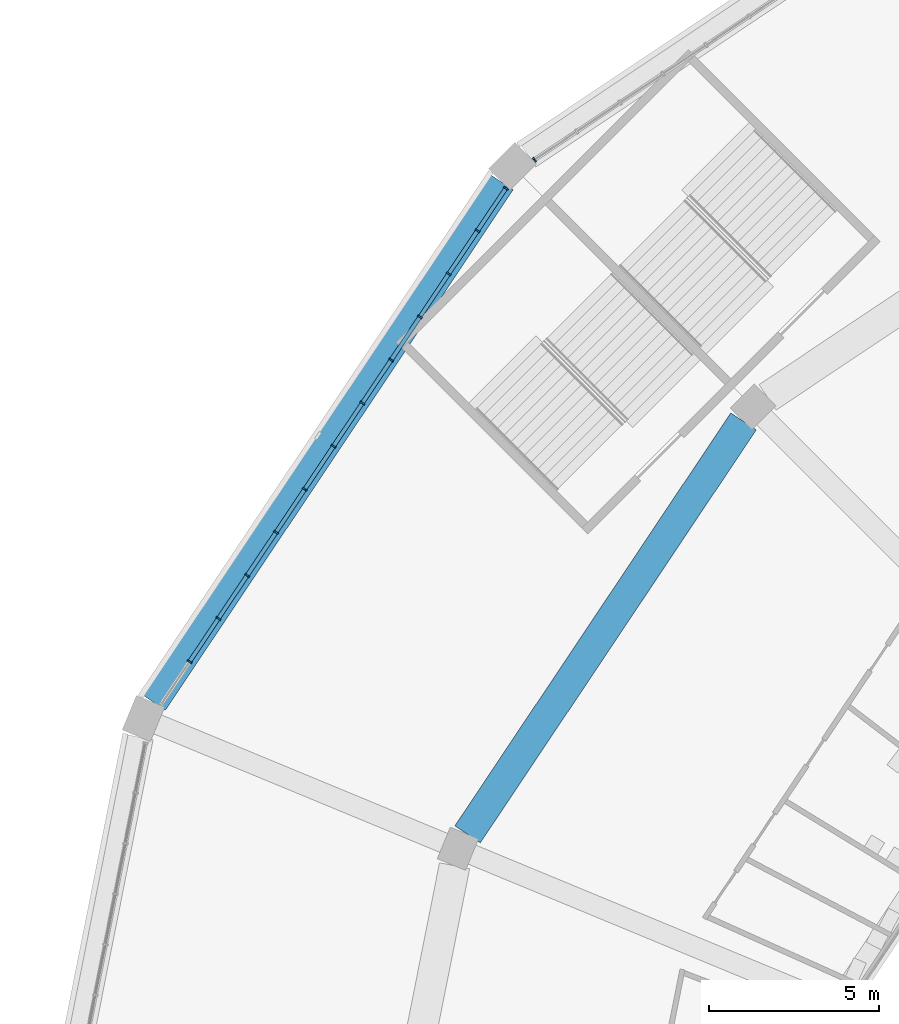
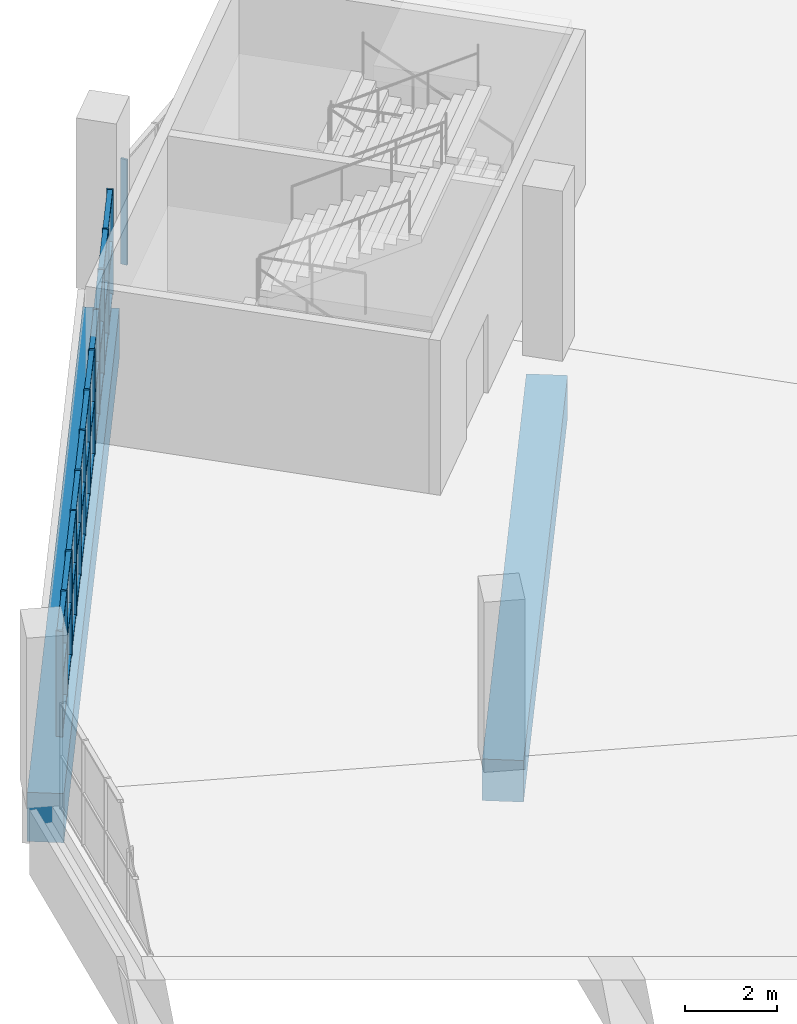
# One storey, part 38 of 199: 46 members, 2 beams, 2 elements without a shape of their own.
"""IFC4 building model written with IfcOpenShell, lengths in metres."""

from ifc_helpers import new_model, si_unit, direction, frame, origin, origin_2d, place, context, subcontext, project, spatial, rectangle, extrude, material, material_profile, profile_set, type_object, element, aggregate, save


model = new_model("IFC4")

# Units and contexts
model_context = context("Model", 3, precision=1e-05, world=origin(), true_north=direction((0.0, 1.0)))
body_context = subcontext(model_context, "Body", "Model", "MODEL_VIEW")
ifc_project = project(units=[si_unit("LENGTHUNIT", "METRE"), si_unit("AREAUNIT", "SQUARE_METRE"), si_unit("VOLUMEUNIT", "CUBIC_METRE"), si_unit("PLANEANGLEUNIT", "RADIAN"), si_unit("MASSUNIT", "GRAM", prefix="KILO")], contexts=[model_context])

# Site, building, storey
site_placement = place(None, origin())
site = spatial("IfcSite", under=ifc_project, at=site_placement, CompositionType="ELEMENT")
building_placement = place(site_placement, origin())
building = spatial("IfcBuilding", under=site, at=building_placement, Name="Ogive Plaza Stadium", CompositionType="ELEMENT")
storey_placement = place(building_placement, frame((0.0, 0.0, 9.0)))
storey = spatial("IfcBuildingStorey", under=building, at=storey_placement, Name="L02", CompositionType="ELEMENT", Elevation=9.0)

# Curtain wall, members
ifc_material_1 = material(Name="Bronze-anodised aluminium with laminated glass", Category="aluminium")
curtain_wall_type = type_object("IfcCurtainWallType", Name="Lancet curtain wall", PredefinedType="NOTDEFINED", material=ifc_material_1)
curtain_wall_1_placement = place(storey_placement, origin())
curtain_wall_1 = element("IfcCurtainWall", 1, at=curtain_wall_1_placement, inside=storey, type_object=curtain_wall_type, Name="CURTAIN WALL B29 L02", PredefinedType="NOTDEFINED")
ifc_material_2 = material(Name="Bronze-anodised aluminium", Category="aluminium")
ifc_material_profile_1 = material_profile(ifc_material_2, rectangle(XDim=0.14990234375, YDim=0.050048828125, at=origin_2d()), Name="AL 150x50")
ifc_profile_set_1 = profile_set([ifc_material_profile_1], Name="Bronze-anodised aluminium")
member_type_1 = type_object("IfcMemberType", Name="Curtain wall mullion 50x150", PredefinedType="MULLION", material=ifc_profile_set_1)
member_1_placement = place(storey_placement, frame((-78.837158203125, 73.3046875, 0.0), z_axis=(0.0, 0.0, 1.0), x_axis=(-0.831469612303, 0.55557023302, 0.0)))
member_1 = element("IfcMember", 2, at=member_1_placement, type_object=member_type_1, Name="CW-B29-L02 mullion 2", PredefinedType="MULLION", context=body_context, shape_type="SweptSolid", body=[
    extrude(rectangle(XDim=0.14990234375, YDim=0.050048828125, at=origin_2d()), origin(), (0.0, 0.0, 1.0), 2.7900390625),
])
member_2_placement = place(storey_placement, frame((-77.991455078125, 74.570556640625, 0.0), z_axis=(0.0, 0.0, 1.0), x_axis=(-0.831469612303, 0.55557023302, 0.0)))
member_2 = element("IfcMember", 3, at=member_2_placement, type_object=member_type_1, Name="CW-B29-L02 mullion 3", PredefinedType="MULLION", context=body_context, shape_type="SweptSolid", body=[
    extrude(rectangle(XDim=0.14990234375, YDim=0.050048828125, at=origin_2d()), origin(), (0.0, 0.0, 1.0), 2.7900390625),
])
member_3_placement = place(storey_placement, frame((-77.145751953125, 75.836181640625, 0.0), z_axis=(0.0, 0.0, 1.0), x_axis=(-0.831469612303, 0.55557023302, 0.0)))
member_3 = element("IfcMember", 4, at=member_3_placement, type_object=member_type_1, Name="CW-B29-L02 mullion 4", PredefinedType="MULLION", context=body_context, shape_type="SweptSolid", body=[
    extrude(rectangle(XDim=0.14990234375, YDim=0.050048828125, at=origin_2d()), origin(), (0.0, 0.0, 1.0), 2.7900390625),
])
member_4_placement = place(storey_placement, frame((-76.2998046875, 77.10205078125, 0.0), z_axis=(0.0, 0.0, 1.0), x_axis=(-0.831469612303, 0.55557023302, 0.0)))
member_4 = element("IfcMember", 5, at=member_4_placement, type_object=member_type_1, Name="CW-B29-L02 mullion 5", PredefinedType="MULLION", context=body_context, shape_type="SweptSolid", body=[
    extrude(rectangle(XDim=0.14990234375, YDim=0.050048828125, at=origin_2d()), origin(), (0.0, 0.0, 1.0), 2.7900390625),
])
member_5_placement = place(storey_placement, frame((-75.4541015625, 78.367919921875, 0.0), z_axis=(0.0, 0.0, 1.0), x_axis=(-0.831469612303, 0.55557023302, 0.0)))
member_5 = element("IfcMember", 6, at=member_5_placement, type_object=member_type_1, Name="CW-B29-L02 mullion 6", PredefinedType="MULLION", context=body_context, shape_type="SweptSolid", body=[
    extrude(rectangle(XDim=0.14990234375, YDim=0.050048828125, at=origin_2d()), origin(), (0.0, 0.0, 1.0), 2.7900390625),
])
member_6_placement = place(storey_placement, frame((-74.6083984375, 79.633544921875, 0.0), z_axis=(0.0, 0.0, 1.0), x_axis=(-0.831469612303, 0.55557023302, 0.0)))
member_6 = element("IfcMember", 7, at=member_6_placement, type_object=member_type_1, Name="CW-B29-L02 mullion 7", PredefinedType="MULLION", context=body_context, shape_type="SweptSolid", body=[
    extrude(rectangle(XDim=0.14990234375, YDim=0.050048828125, at=origin_2d()), origin(), (0.0, 0.0, 1.0), 2.7900390625),
])
member_7_placement = place(storey_placement, frame((-73.7626953125, 80.8994140625, 0.0), z_axis=(0.0, 0.0, 1.0), x_axis=(-0.831469612303, 0.55557023302, 0.0)))
member_7 = element("IfcMember", 8, at=member_7_placement, type_object=member_type_1, Name="CW-B29-L02 mullion 8", PredefinedType="MULLION", context=body_context, shape_type="SweptSolid", body=[
    extrude(rectangle(XDim=0.14990234375, YDim=0.050048828125, at=origin_2d()), origin(), (0.0, 0.0, 1.0), 2.7900390625),
])
member_8_placement = place(storey_placement, frame((-72.916748046875, 82.165283203125, 0.0), z_axis=(0.0, 0.0, 1.0), x_axis=(-0.831469612303, 0.55557023302, 0.0)))
member_8 = element("IfcMember", 9, at=member_8_placement, type_object=member_type_1, Name="CW-B29-L02 mullion 9", PredefinedType="MULLION", context=body_context, shape_type="SweptSolid", body=[
    extrude(rectangle(XDim=0.14990234375, YDim=0.050048828125, at=origin_2d()), origin(), (0.0, 0.0, 1.0), 2.7900390625),
])
member_9_placement = place(storey_placement, frame((-72.071044921875, 83.430908203125, 0.0), z_axis=(0.0, 0.0, 1.0), x_axis=(-0.831469612303, 0.55557023302, 0.0)))
member_9 = element("IfcMember", 10, at=member_9_placement, type_object=member_type_1, Name="CW-B29-L02 mullion 10", PredefinedType="MULLION", context=body_context, shape_type="SweptSolid", body=[
    extrude(rectangle(XDim=0.14990234375, YDim=0.050048828125, at=origin_2d()), origin(), (0.0, 0.0, 1.0), 2.7900390625),
])
member_10_placement = place(storey_placement, frame((-71.225341796875, 84.69677734375, 0.0), z_axis=(0.0, 0.0, 1.0), x_axis=(-0.831469612303, 0.55557023302, 0.0)))
member_10 = element("IfcMember", 11, at=member_10_placement, type_object=member_type_1, Name="CW-B29-L02 mullion 11", PredefinedType="MULLION", context=body_context, shape_type="SweptSolid", body=[
    extrude(rectangle(XDim=0.14990234375, YDim=0.050048828125, at=origin_2d()), origin(), (0.0, 0.0, 1.0), 2.7900390625),
])
member_11_placement = place(storey_placement, frame((-70.379638671875, 85.962646484375, 0.0), z_axis=(0.0, 0.0, 1.0), x_axis=(-0.831469612303, 0.55557023302, 0.0)))
member_11 = element("IfcMember", 12, at=member_11_placement, type_object=member_type_1, Name="CW-B29-L02 mullion 12", PredefinedType="MULLION", context=body_context, shape_type="SweptSolid", body=[
    extrude(rectangle(XDim=0.14990234375, YDim=0.050048828125, at=origin_2d()), origin(), (0.0, 0.0, 1.0), 2.7900390625),
])
member_12_placement = place(storey_placement, frame((-69.547607421875, 87.20751953125, 0.0), z_axis=(0.0, 0.0, 1.0), x_axis=(-0.831469612303, 0.55557023302, 0.0)))
member_12 = element("IfcMember", 13, at=member_12_placement, type_object=member_type_1, Name="CW-B29-L02 mullion 13", PredefinedType="MULLION", context=body_context, shape_type="SweptSolid", body=[
    extrude(rectangle(XDim=0.14990234375, YDim=0.050048828125, at=origin_2d()), origin(), (0.0, 0.0, 1.0), 2.7900390625),
])

# Curtain wall, member
curtain_wall_2_placement = place(storey_placement, origin())
curtain_wall_2 = element("IfcCurtainWall", 14, at=curtain_wall_2_placement, inside=storey, type_object=curtain_wall_type, Name="CURTAIN WALL B30 L02", PredefinedType="NOTDEFINED")
member_13_placement = place(storey_placement, frame((-68.70751953125, 88.047607421875, 0.0), z_axis=(0.0, 0.0, 1.0), x_axis=(-0.55557023302, 0.831469612303, 0.0)))
member_13 = element("IfcMember", 15, at=member_13_placement, type_object=member_type_1, Name="CW-B30-L02 mullion 1", PredefinedType="MULLION", context=body_context, shape_type="SweptSolid", body=[
    extrude(rectangle(XDim=0.14990234375, YDim=0.050048828125, at=origin_2d()), origin(), (0.0, 0.0, 1.0), 2.7900390625),
])
aggregate(curtain_wall_2, [member_13])

# Member
ifc_material_3 = material(Name="Bronze-anodised aluminium", Category="aluminium")
ifc_material_profile_2 = material_profile(ifc_material_3, rectangle(XDim=0.1201171875, YDim=0.050048828125, at=origin_2d()), Name="AL 120x50")
ifc_profile_set_2 = profile_set([ifc_material_profile_2], Name="Bronze-anodised aluminium")
member_type_2 = type_object("IfcMemberType", Name="Curtain wall transom 50x120", PredefinedType="USERDEFINED", material=ifc_profile_set_2)
member_14_placement = place(storey_placement, frame((-78.8232421875, 73.325439453125, 0.02490234375), z_axis=(0.555465240925, 0.83153975619, 0.0), x_axis=(-0.83153975619, 0.555465240925, 0.0)))
member_14 = element("IfcMember", 16, at=member_14_placement, type_object=member_type_2, Name="CW-B29-L02 transom 2.1", ObjectType="TRANSOM", PredefinedType="USERDEFINED", context=body_context, shape_type="SweptSolid", body=[
    extrude(rectangle(XDim=0.1201171875, YDim=0.050048828125, at=origin_2d()), origin(), (0.0, 0.0, 1.0), 1.472412109375),
])

member_15_placement = place(storey_placement, frame((-78.8232421875, 73.325439453125, 1.39501953125), z_axis=(0.555465240925, 0.83153975619, 0.0), x_axis=(-0.83153975619, 0.555465240925, 0.0)))
member_15 = element("IfcMember", 17, at=member_15_placement, type_object=member_type_2, Name="CW-B29-L02 transom 2.2", ObjectType="TRANSOM", PredefinedType="USERDEFINED", context=body_context, shape_type="SweptSolid", body=[
    extrude(rectangle(XDim=0.1201171875, YDim=0.050048828125, at=origin_2d()), origin(), (0.0, 0.0, 1.0), 1.472412109375),
])

member_16_placement = place(storey_placement, frame((-78.8232421875, 73.325439453125, 2.764892578125), z_axis=(0.555465240925, 0.83153975619, 0.0), x_axis=(-0.83153975619, 0.555465240925, 0.0)))
member_16 = element("IfcMember", 18, at=member_16_placement, type_object=member_type_2, Name="CW-B29-L02 transom 2.3", ObjectType="TRANSOM", PredefinedType="USERDEFINED", context=body_context, shape_type="SweptSolid", body=[
    extrude(rectangle(XDim=0.1201171875, YDim=0.050048828125, at=origin_2d()), origin(), (0.0, 0.0, 1.0), 1.472412109375),
])

member_17_placement = place(storey_placement, frame((-77.9775390625, 74.59130859375, 0.02490234375), z_axis=(0.555541835587, 0.831488586159, 0.0), x_axis=(-0.831488586159, 0.555541835587, 0.0)))
member_17 = element("IfcMember", 19, at=member_17_placement, type_object=member_type_2, Name="CW-B29-L02 transom 3.1", ObjectType="TRANSOM", PredefinedType="USERDEFINED", context=body_context, shape_type="SweptSolid", body=[
    extrude(rectangle(XDim=0.1201171875, YDim=0.050048828125, at=origin_2d()), origin(), (0.0, 0.0, 1.0), 1.47216796875),
])

member_18_placement = place(storey_placement, frame((-77.9775390625, 74.59130859375, 1.39501953125), z_axis=(0.555541835587, 0.831488586159, 0.0), x_axis=(-0.831488586159, 0.555541835587, 0.0)))
member_18 = element("IfcMember", 20, at=member_18_placement, type_object=member_type_2, Name="CW-B29-L02 transom 3.2", ObjectType="TRANSOM", PredefinedType="USERDEFINED", context=body_context, shape_type="SweptSolid", body=[
    extrude(rectangle(XDim=0.1201171875, YDim=0.050048828125, at=origin_2d()), origin(), (0.0, 0.0, 1.0), 1.47216796875),
])

member_19_placement = place(storey_placement, frame((-77.9775390625, 74.59130859375, 2.764892578125), z_axis=(0.555541835587, 0.831488586159, 0.0), x_axis=(-0.831488586159, 0.555541835587, 0.0)))
member_19 = element("IfcMember", 21, at=member_19_placement, type_object=member_type_2, Name="CW-B29-L02 transom 3.3", ObjectType="TRANSOM", PredefinedType="USERDEFINED", context=body_context, shape_type="SweptSolid", body=[
    extrude(rectangle(XDim=0.1201171875, YDim=0.050048828125, at=origin_2d()), origin(), (0.0, 0.0, 1.0), 1.47216796875),
])

member_20_placement = place(storey_placement, frame((-77.1318359375, 75.857177734375, 0.02490234375), z_axis=(0.555656472512, 0.831411982446, 0.0), x_axis=(-0.831411982446, 0.555656472512, 0.0)))
member_20 = element("IfcMember", 22, at=member_20_placement, type_object=member_type_2, Name="CW-B29-L02 transom 4.1", ObjectType="TRANSOM", PredefinedType="USERDEFINED", context=body_context, shape_type="SweptSolid", body=[
    extrude(rectangle(XDim=0.1201171875, YDim=0.050048828125, at=origin_2d()), origin(), (0.0, 0.0, 1.0), 1.472412109375),
])

member_21_placement = place(storey_placement, frame((-77.1318359375, 75.857177734375, 1.39501953125), z_axis=(0.555656472512, 0.831411982446, 0.0), x_axis=(-0.831411982446, 0.555656472512, 0.0)))
member_21 = element("IfcMember", 23, at=member_21_placement, type_object=member_type_2, Name="CW-B29-L02 transom 4.2", ObjectType="TRANSOM", PredefinedType="USERDEFINED", context=body_context, shape_type="SweptSolid", body=[
    extrude(rectangle(XDim=0.1201171875, YDim=0.050048828125, at=origin_2d()), origin(), (0.0, 0.0, 1.0), 1.472412109375),
])

member_22_placement = place(storey_placement, frame((-77.1318359375, 75.857177734375, 2.764892578125), z_axis=(0.555656472512, 0.831411982446, 0.0), x_axis=(-0.831411982446, 0.555656472512, 0.0)))
member_22 = element("IfcMember", 24, at=member_22_placement, type_object=member_type_2, Name="CW-B29-L02 transom 4.3", ObjectType="TRANSOM", PredefinedType="USERDEFINED", context=body_context, shape_type="SweptSolid", body=[
    extrude(rectangle(XDim=0.1201171875, YDim=0.050048828125, at=origin_2d()), origin(), (0.0, 0.0, 1.0), 1.472412109375),
])

member_23_placement = place(storey_placement, frame((-76.2861328125, 77.122802734375, 0.02490234375), z_axis=(0.555579876157, 0.831463168883, 0.0), x_axis=(-0.831463168883, 0.555579876157, 0.0)))
member_23 = element("IfcMember", 25, at=member_23_placement, type_object=member_type_2, Name="CW-B29-L02 transom 5.1", ObjectType="TRANSOM", PredefinedType="USERDEFINED", context=body_context, shape_type="SweptSolid", body=[
    extrude(rectangle(XDim=0.1201171875, YDim=0.050048828125, at=origin_2d()), origin(), (0.0, 0.0, 1.0), 1.47265625),
])

member_24_placement = place(storey_placement, frame((-76.2861328125, 77.122802734375, 1.39501953125), z_axis=(0.555579876157, 0.831463168883, 0.0), x_axis=(-0.831463168883, 0.555579876157, 0.0)))
member_24 = element("IfcMember", 26, at=member_24_placement, type_object=member_type_2, Name="CW-B29-L02 transom 5.2", ObjectType="TRANSOM", PredefinedType="USERDEFINED", context=body_context, shape_type="SweptSolid", body=[
    extrude(rectangle(XDim=0.1201171875, YDim=0.050048828125, at=origin_2d()), origin(), (0.0, 0.0, 1.0), 1.47265625),
])

member_25_placement = place(storey_placement, frame((-76.2861328125, 77.122802734375, 2.764892578125), z_axis=(0.555579876157, 0.831463168883, 0.0), x_axis=(-0.831463168883, 0.555579876157, 0.0)))
member_25 = element("IfcMember", 27, at=member_25_placement, type_object=member_type_2, Name="CW-B29-L02 transom 5.3", ObjectType="TRANSOM", PredefinedType="USERDEFINED", context=body_context, shape_type="SweptSolid", body=[
    extrude(rectangle(XDim=0.1201171875, YDim=0.050048828125, at=origin_2d()), origin(), (0.0, 0.0, 1.0), 1.47265625),
])

member_26_placement = place(storey_placement, frame((-75.440185546875, 78.388671875, 0.02490234375), z_axis=(0.555541835587, 0.831488586159, 0.0), x_axis=(-0.831488586159, 0.555541835587, 0.0)))
member_26 = element("IfcMember", 28, at=member_26_placement, type_object=member_type_2, Name="CW-B29-L02 transom 6.1", ObjectType="TRANSOM", PredefinedType="USERDEFINED", context=body_context, shape_type="SweptSolid", body=[
    extrude(rectangle(XDim=0.1201171875, YDim=0.050048828125, at=origin_2d()), origin(), (0.0, 0.0, 1.0), 1.47216796875),
])

member_27_placement = place(storey_placement, frame((-75.440185546875, 78.388671875, 1.39501953125), z_axis=(0.555541835587, 0.831488586159, 0.0), x_axis=(-0.831488586159, 0.555541835587, 0.0)))
member_27 = element("IfcMember", 29, at=member_27_placement, type_object=member_type_2, Name="CW-B29-L02 transom 6.2", ObjectType="TRANSOM", PredefinedType="USERDEFINED", context=body_context, shape_type="SweptSolid", body=[
    extrude(rectangle(XDim=0.1201171875, YDim=0.050048828125, at=origin_2d()), origin(), (0.0, 0.0, 1.0), 1.47216796875),
])

member_28_placement = place(storey_placement, frame((-75.440185546875, 78.388671875, 2.764892578125), z_axis=(0.555541835587, 0.831488586159, 0.0), x_axis=(-0.831488586159, 0.555541835587, 0.0)))
member_28 = element("IfcMember", 30, at=member_28_placement, type_object=member_type_2, Name="CW-B29-L02 transom 6.3", ObjectType="TRANSOM", PredefinedType="USERDEFINED", context=body_context, shape_type="SweptSolid", body=[
    extrude(rectangle(XDim=0.1201171875, YDim=0.050048828125, at=origin_2d()), origin(), (0.0, 0.0, 1.0), 1.47216796875),
])

member_29_placement = place(storey_placement, frame((-74.594482421875, 79.654541015625, 0.02490234375), z_axis=(0.555656472512, 0.831411982446, 0.0), x_axis=(-0.831411982446, 0.555656472512, 0.0)))
member_29 = element("IfcMember", 31, at=member_29_placement, type_object=member_type_2, Name="CW-B29-L02 transom 7.1", ObjectType="TRANSOM", PredefinedType="USERDEFINED", context=body_context, shape_type="SweptSolid", body=[
    extrude(rectangle(XDim=0.1201171875, YDim=0.050048828125, at=origin_2d()), origin(), (0.0, 0.0, 1.0), 1.472412109375),
])

member_30_placement = place(storey_placement, frame((-74.594482421875, 79.654541015625, 1.39501953125), z_axis=(0.555656472512, 0.831411982446, 0.0), x_axis=(-0.831411982446, 0.555656472512, 0.0)))
member_30 = element("IfcMember", 32, at=member_30_placement, type_object=member_type_2, Name="CW-B29-L02 transom 7.2", ObjectType="TRANSOM", PredefinedType="USERDEFINED", context=body_context, shape_type="SweptSolid", body=[
    extrude(rectangle(XDim=0.1201171875, YDim=0.050048828125, at=origin_2d()), origin(), (0.0, 0.0, 1.0), 1.472412109375),
])

member_31_placement = place(storey_placement, frame((-74.594482421875, 79.654541015625, 2.764892578125), z_axis=(0.555656472512, 0.831411982446, 0.0), x_axis=(-0.831411982446, 0.555656472512, 0.0)))
member_31 = element("IfcMember", 33, at=member_31_placement, type_object=member_type_2, Name="CW-B29-L02 transom 7.3", ObjectType="TRANSOM", PredefinedType="USERDEFINED", context=body_context, shape_type="SweptSolid", body=[
    extrude(rectangle(XDim=0.1201171875, YDim=0.050048828125, at=origin_2d()), origin(), (0.0, 0.0, 1.0), 1.472412109375),
])

member_32_placement = place(storey_placement, frame((-73.748779296875, 80.920166015625, 0.02490234375), z_axis=(0.555579876157, 0.831463168883, 0.0), x_axis=(-0.831463168883, 0.555579876157, 0.0)))
member_32 = element("IfcMember", 34, at=member_32_placement, type_object=member_type_2, Name="CW-B29-L02 transom 8.1", ObjectType="TRANSOM", PredefinedType="USERDEFINED", context=body_context, shape_type="SweptSolid", body=[
    extrude(rectangle(XDim=0.1201171875, YDim=0.050048828125, at=origin_2d()), origin(), (0.0, 0.0, 1.0), 1.47265625),
])

member_33_placement = place(storey_placement, frame((-73.748779296875, 80.920166015625, 1.39501953125), z_axis=(0.555579876157, 0.831463168883, 0.0), x_axis=(-0.831463168883, 0.555579876157, 0.0)))
member_33 = element("IfcMember", 35, at=member_33_placement, type_object=member_type_2, Name="CW-B29-L02 transom 8.2", ObjectType="TRANSOM", PredefinedType="USERDEFINED", context=body_context, shape_type="SweptSolid", body=[
    extrude(rectangle(XDim=0.1201171875, YDim=0.050048828125, at=origin_2d()), origin(), (0.0, 0.0, 1.0), 1.47265625),
])

member_34_placement = place(storey_placement, frame((-73.748779296875, 80.920166015625, 2.764892578125), z_axis=(0.555579876157, 0.831463168883, 0.0), x_axis=(-0.831463168883, 0.555579876157, 0.0)))
member_34 = element("IfcMember", 36, at=member_34_placement, type_object=member_type_2, Name="CW-B29-L02 transom 8.3", ObjectType="TRANSOM", PredefinedType="USERDEFINED", context=body_context, shape_type="SweptSolid", body=[
    extrude(rectangle(XDim=0.1201171875, YDim=0.050048828125, at=origin_2d()), origin(), (0.0, 0.0, 1.0), 1.47265625),
])

member_35_placement = place(storey_placement, frame((-72.90283203125, 82.18603515625, 0.02490234375), z_axis=(0.555541835587, 0.831488586159, 0.0), x_axis=(-0.831488586159, 0.555541835587, 0.0)))
member_35 = element("IfcMember", 37, at=member_35_placement, type_object=member_type_2, Name="CW-B29-L02 transom 9.1", ObjectType="TRANSOM", PredefinedType="USERDEFINED", context=body_context, shape_type="SweptSolid", body=[
    extrude(rectangle(XDim=0.1201171875, YDim=0.050048828125, at=origin_2d()), origin(), (0.0, 0.0, 1.0), 1.47216796875),
])

member_36_placement = place(storey_placement, frame((-72.90283203125, 82.18603515625, 1.39501953125), z_axis=(0.555541835587, 0.831488586159, 0.0), x_axis=(-0.831488586159, 0.555541835587, 0.0)))
member_36 = element("IfcMember", 38, at=member_36_placement, type_object=member_type_2, Name="CW-B29-L02 transom 9.2", ObjectType="TRANSOM", PredefinedType="USERDEFINED", context=body_context, shape_type="SweptSolid", body=[
    extrude(rectangle(XDim=0.1201171875, YDim=0.050048828125, at=origin_2d()), origin(), (0.0, 0.0, 1.0), 1.47216796875),
])

member_37_placement = place(storey_placement, frame((-72.90283203125, 82.18603515625, 2.764892578125), z_axis=(0.555541835587, 0.831488586159, 0.0), x_axis=(-0.831488586159, 0.555541835587, 0.0)))
member_37 = element("IfcMember", 39, at=member_37_placement, type_object=member_type_2, Name="CW-B29-L02 transom 9.3", ObjectType="TRANSOM", PredefinedType="USERDEFINED", context=body_context, shape_type="SweptSolid", body=[
    extrude(rectangle(XDim=0.1201171875, YDim=0.050048828125, at=origin_2d()), origin(), (0.0, 0.0, 1.0), 1.47216796875),
])

member_38_placement = place(storey_placement, frame((-72.05712890625, 83.45166015625, 0.02490234375), z_axis=(0.555465240925, 0.83153975619, 0.0), x_axis=(-0.83153975619, 0.555465240925, 0.0)))
member_38 = element("IfcMember", 40, at=member_38_placement, type_object=member_type_2, Name="CW-B29-L02 transom 10.1", ObjectType="TRANSOM", PredefinedType="USERDEFINED", context=body_context, shape_type="SweptSolid", body=[
    extrude(rectangle(XDim=0.1201171875, YDim=0.050048828125, at=origin_2d()), origin(), (0.0, 0.0, 1.0), 1.472412109375),
])

member_39_placement = place(storey_placement, frame((-72.05712890625, 83.45166015625, 1.39501953125), z_axis=(0.555465240925, 0.83153975619, 0.0), x_axis=(-0.83153975619, 0.555465240925, 0.0)))
member_39 = element("IfcMember", 41, at=member_39_placement, type_object=member_type_2, Name="CW-B29-L02 transom 10.2", ObjectType="TRANSOM", PredefinedType="USERDEFINED", context=body_context, shape_type="SweptSolid", body=[
    extrude(rectangle(XDim=0.1201171875, YDim=0.050048828125, at=origin_2d()), origin(), (0.0, 0.0, 1.0), 1.472412109375),
])

member_40_placement = place(storey_placement, frame((-72.05712890625, 83.45166015625, 2.764892578125), z_axis=(0.555465240925, 0.83153975619, 0.0), x_axis=(-0.83153975619, 0.555465240925, 0.0)))
member_40 = element("IfcMember", 42, at=member_40_placement, type_object=member_type_2, Name="CW-B29-L02 transom 10.3", ObjectType="TRANSOM", PredefinedType="USERDEFINED", context=body_context, shape_type="SweptSolid", body=[
    extrude(rectangle(XDim=0.1201171875, YDim=0.050048828125, at=origin_2d()), origin(), (0.0, 0.0, 1.0), 1.472412109375),
])

member_41_placement = place(storey_placement, frame((-71.21142578125, 84.717529296875, 0.02490234375), z_axis=(0.555656472512, 0.831411982446, 0.0), x_axis=(-0.831411982446, 0.555656472512, 0.0)))
member_41 = element("IfcMember", 43, at=member_41_placement, type_object=member_type_2, Name="CW-B29-L02 transom 11.1", ObjectType="TRANSOM", PredefinedType="USERDEFINED", context=body_context, shape_type="SweptSolid", body=[
    extrude(rectangle(XDim=0.1201171875, YDim=0.050048828125, at=origin_2d()), origin(), (0.0, 0.0, 1.0), 1.472412109375),
])

member_42_placement = place(storey_placement, frame((-71.21142578125, 84.717529296875, 1.39501953125), z_axis=(0.555656472512, 0.831411982446, 0.0), x_axis=(-0.831411982446, 0.555656472512, 0.0)))
member_42 = element("IfcMember", 44, at=member_42_placement, type_object=member_type_2, Name="CW-B29-L02 transom 11.2", ObjectType="TRANSOM", PredefinedType="USERDEFINED", context=body_context, shape_type="SweptSolid", body=[
    extrude(rectangle(XDim=0.1201171875, YDim=0.050048828125, at=origin_2d()), origin(), (0.0, 0.0, 1.0), 1.472412109375),
])

member_43_placement = place(storey_placement, frame((-71.21142578125, 84.717529296875, 2.764892578125), z_axis=(0.555656472512, 0.831411982446, 0.0), x_axis=(-0.831411982446, 0.555656472512, 0.0)))
member_43 = element("IfcMember", 45, at=member_43_placement, type_object=member_type_2, Name="CW-B29-L02 transom 11.3", ObjectType="TRANSOM", PredefinedType="USERDEFINED", context=body_context, shape_type="SweptSolid", body=[
    extrude(rectangle(XDim=0.1201171875, YDim=0.050048828125, at=origin_2d()), origin(), (0.0, 0.0, 1.0), 1.472412109375),
])

member_44_placement = place(storey_placement, frame((-70.36572265625, 85.9833984375, 0.02490234375), z_axis=(0.555634077892, 0.831426948977, 0.0), x_axis=(-0.831426948977, 0.555634077892, 0.0)))
member_44 = element("IfcMember", 46, at=member_44_placement, type_object=member_type_2, Name="CW-B29-L02 transom 12.1", ObjectType="TRANSOM", PredefinedType="USERDEFINED", context=body_context, shape_type="SweptSolid", body=[
    extrude(rectangle(XDim=0.1201171875, YDim=0.050048828125, at=origin_2d()), origin(), (0.0, 0.0, 1.0), 1.447265625),
])

member_45_placement = place(storey_placement, frame((-70.36572265625, 85.9833984375, 1.39501953125), z_axis=(0.555634077892, 0.831426948977, 0.0), x_axis=(-0.831426948977, 0.555634077892, 0.0)))
member_45 = element("IfcMember", 47, at=member_45_placement, type_object=member_type_2, Name="CW-B29-L02 transom 12.2", ObjectType="TRANSOM", PredefinedType="USERDEFINED", context=body_context, shape_type="SweptSolid", body=[
    extrude(rectangle(XDim=0.1201171875, YDim=0.050048828125, at=origin_2d()), origin(), (0.0, 0.0, 1.0), 1.447265625),
])

member_46_placement = place(storey_placement, frame((-70.36572265625, 85.9833984375, 2.764892578125), z_axis=(0.555634077892, 0.831426948977, 0.0), x_axis=(-0.831426948977, 0.555634077892, 0.0)))
member_46 = element("IfcMember", 48, at=member_46_placement, type_object=member_type_2, Name="CW-B29-L02 transom 12.3", ObjectType="TRANSOM", PredefinedType="USERDEFINED", context=body_context, shape_type="SweptSolid", body=[
    extrude(rectangle(XDim=0.1201171875, YDim=0.050048828125, at=origin_2d()), origin(), (0.0, 0.0, 1.0), 1.447265625),
])

aggregate(curtain_wall_1, [member_1, member_2, member_3, member_4, member_5, member_6, member_7, member_8, member_9, member_10, member_11, member_12, member_14, member_15, member_16, member_17, member_18, member_19, member_20, member_21, member_22, member_23, member_24, member_25, member_26, member_27, member_28, member_29, member_30, member_31, member_32, member_33, member_34, member_35, member_36, member_37, member_38, member_39, member_40, member_41, member_42, member_43, member_44, member_45, member_46])

# Beams
ifc_material_4 = material(Name="Concrete C40/50", Category="concrete")
ifc_material_profile_3 = material_profile(ifc_material_4, rectangle(XDim=0.89990234375, YDim=1.10009765625, at=origin_2d()), Name="RC 900x1100")
ifc_profile_set_3 = profile_set([ifc_material_profile_3], Name="Concrete C40/50")
beam_type_1 = type_object("IfcBeamType", Name="RC ring beam 900x1100", PredefinedType="BEAM", material=ifc_profile_set_3)
beam_1_placement = place(storey_placement, frame((-70.671875, 68.231201171875, -0.9599609375), z_axis=(0.555572744827, 0.831467933961, 0.0), x_axis=(-0.831467933961, 0.555572744827, 0.0)))
element("IfcBeam", 49, at=beam_1_placement, inside=storey, type_object=beam_type_1, Name="Ring beam F4 L02 B29", PredefinedType="BEAM", context=body_context, shape_type="SweptSolid", body=[
    extrude(rectangle(XDim=0.89990234375, YDim=1.10009765625, at=origin_2d()), origin(), (0.0, 0.0, 1.0), 14.587646484375),
])
ifc_material_5 = material(Name="Concrete C40/50", Category="concrete")
ifc_material_profile_4 = material_profile(ifc_material_5, rectangle(XDim=0.800048828125, YDim=1.300048828125, at=origin_2d()), Name="RC 800x1300")
ifc_profile_set_4 = profile_set([ifc_material_profile_4], Name="Concrete C40/50")
beam_type_2 = type_object("IfcBeamType", Name="RC spandrel beam 800x1300", PredefinedType="SPANDREL", material=ifc_profile_set_4)
beam_2_placement = place(storey_placement, frame((-79.88232421875, 72.100341796875, -1.06005859375), z_axis=(0.555557833169, 0.831477897484, 0.0), x_axis=(-0.831477897484, 0.555557833169, 0.0)))
element("IfcBeam", 50, at=beam_2_placement, inside=storey, type_object=beam_type_2, Name="Ring beam F5 L02 B29", PredefinedType="SPANDREL", context=body_context, shape_type="SweptSolid", body=[
    extrude(rectangle(XDim=0.800048828125, YDim=1.300048828125, at=origin_2d()), origin(), (0.0, 0.0, 1.0), 18.387451171875),
])

save(model, "model.ifc")
